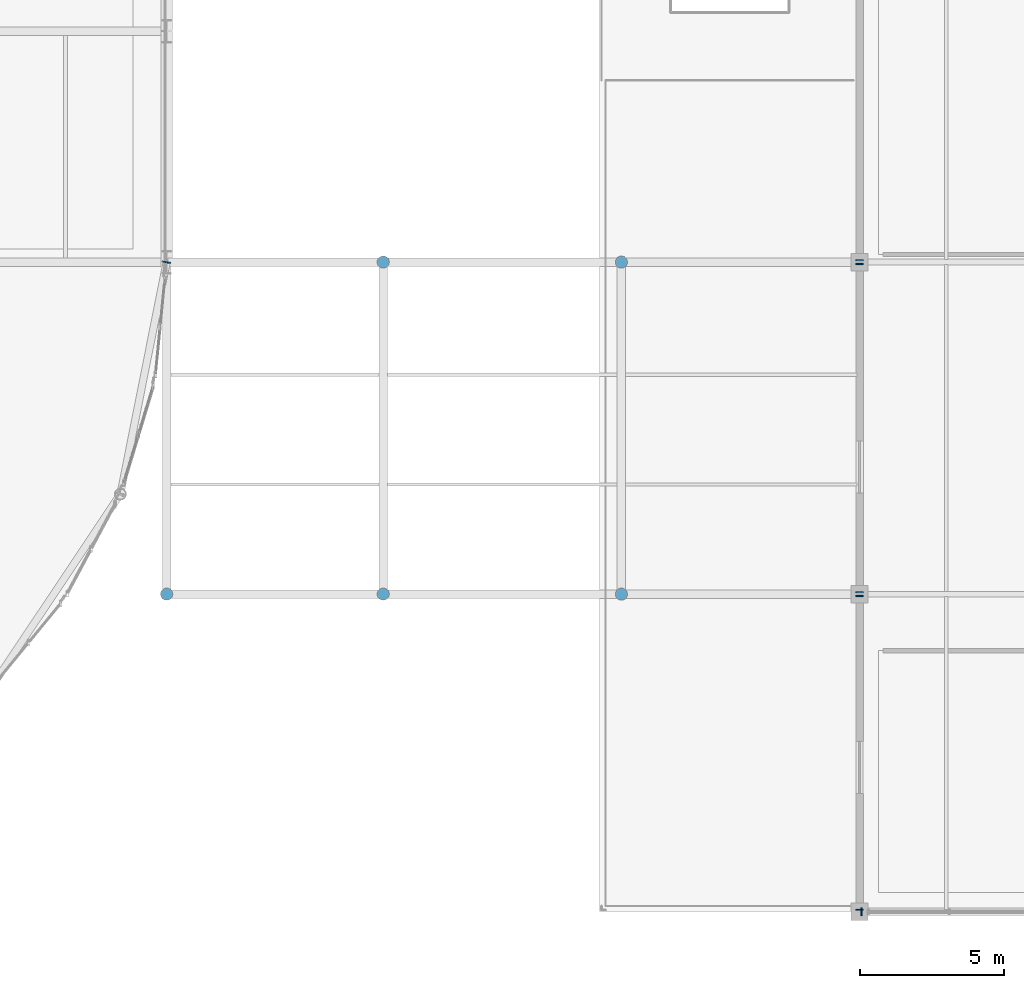
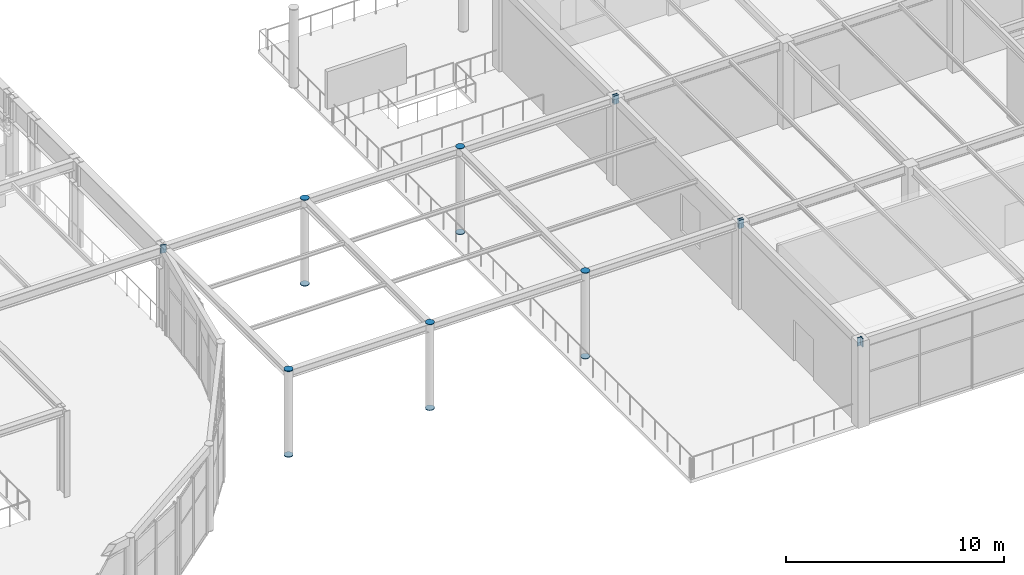
# One storey, part 105 of 143: 17 discrete accessories.
"""IFC4 building model written with IfcOpenShell, lengths in metres."""

from ifc_helpers import new_model, si_unit, direction, frame, origin, origin_2d, place, context, subcontext, project, spatial, rectangle, circle, extrude, material, element, save


model = new_model("IFC4")

# Units and contexts
model_context = context("Model", 3, precision=1e-05, world=origin(), true_north=direction((0.0, 1.0)))
body_context = subcontext(model_context, "Body", "Model", "MODEL_VIEW")
ifc_project = project(units=[si_unit("LENGTHUNIT", "METRE"), si_unit("AREAUNIT", "SQUARE_METRE"), si_unit("VOLUMEUNIT", "CUBIC_METRE"), si_unit("PLANEANGLEUNIT", "RADIAN"), si_unit("MASSUNIT", "GRAM", prefix="KILO")], contexts=[model_context])

# Site, building, storey
site_placement = place(None, origin())
site = spatial("IfcSite", under=ifc_project, at=site_placement, CompositionType="ELEMENT")
building_placement = place(site_placement, origin())
building = spatial("IfcBuilding", under=site, at=building_placement, Name="Marlcrest Central Station", CompositionType="ELEMENT")
storey_placement = place(building_placement, frame((0.0, 0.0, 4.800048828125)))
storey = spatial("IfcBuildingStorey", under=building, at=storey_placement, Name="L01", CompositionType="ELEMENT", Elevation=4.800048828125)

# Discrete accessories
ifc_material = material(Name="Steel S355", Category="steel")
for number, where, z_axis, x_axis, name in (
    (1, (153.045166015625, 0.0, 4.58984375), (1.0, 0.0, 0.0), (0.0, 1.0, 0.0), "endcap-bm-SP-02-L01-00859-s"),
    (2, (153.0, 0.045166015625, 4.58984375), (0.0, 1.0, 0.0), (-1.0, 0.0, 0.0), "endcap-bm-SP-02-L01-00887-s"),
    (3, (153.0, 10.9150390625, 4.58984375), (0.0, 1.0, 0.0), (-1.0, 0.0, 0.0), "endcap-bm-SP-02-L01-00887-e"),
    (4, (153.0, 11.045166015625, 4.58984375), (0.0, 1.0, 0.0), (-1.0, 0.0, 0.0), "endcap-bm-SP-02-L01-00888-s"),
    (5, (153.0, 22.4150390625, 4.58984375), (0.0, 1.0, 0.0), (-1.0, 0.0, 0.0), "endcap-bm-SP-02-L01-00888-e"),
    (6, (153.0, 22.545166015625, 4.58984375), (0.0, 1.0, 0.0), (-1.0, 0.0, 0.0), "endcap-bm-SP-02-L01-00889-s"),
    (7, (128.9951171875, 22.4755859375, 4.58984375), (0.19517056122, 0.980769316421, 0.0), (-0.980769316421, 0.19517056122, 0.0), "endcap-bm-SP-02-L01-01364-e"),
):
    element("IfcDiscreteAccessory", number, at=place(storey_placement, frame(where, z_axis=z_axis, x_axis=x_axis)), inside=storey, material=ifc_material, Name=name, ObjectType="END_CAP_PLATE", PredefinedType="BRACKET", context=body_context, shape_type="SweptSolid", body=[
        extrude(rectangle(XDim=0.26611328125, YDim=0.466064453125, at=origin_2d()), origin(), (0.0, 0.0, 1.0), 0.0400390625),
    ])
for number, where, z_axis, x_axis, name in (
    (8, (129.0, 11.0, -0.014892578125), (0.0, 0.0, 1.0), (1.0, 0.0, 0.0), "endcap-col-SC-10-L01-0900-s"),
    (9, (129.0, 11.0, 4.7900390625), (0.0, 0.0, 1.0), (1.0, 0.0, 0.0), "endcap-col-SC-10-L01-0900-e"),
    (10, (136.5, 11.0, -0.014892578125), (0.0, 0.0, 1.0), (1.0, 0.0, 0.0), "endcap-col-SC-10-L01-0902-s"),
    (11, (136.5, 11.0, 4.7900390625), (0.0, 0.0, 1.0), (1.0, 0.0, 0.0), "endcap-col-SC-10-L01-0902-e"),
    (12, (136.5, 22.5, -0.014892578125), (0.0, 0.0, 1.0), (1.0, 0.0, 0.0), "endcap-col-SC-10-L01-0904-s"),
    (13, (136.5, 22.5, 4.7900390625), (0.0, 0.0, 1.0), (1.0, 0.0, 0.0), "endcap-col-SC-10-L01-0904-e"),
    (14, (144.75, 11.0, -0.014892578125), (0.0, 0.0, 1.0), (1.0, 0.0, 0.0), "endcap-col-SC-10-L01-0906-s"),
    (15, (144.75, 11.0, 4.7900390625), (0.0, 0.0, 1.0), (1.0, 0.0, 0.0), "endcap-col-SC-10-L01-0906-e"),
    (16, (144.75, 22.5, -0.014892578125), (0.0, 0.0, 1.0), (1.0, 0.0, 0.0), "endcap-col-SC-10-L01-0908-s"),
    (17, (144.75, 22.5, 4.7900390625), (0.0, 0.0, 1.0), (1.0, 0.0, 0.0), "endcap-col-SC-10-L01-0908-e"),
):
    element("IfcDiscreteAccessory", number, at=place(storey_placement, frame(where, z_axis=z_axis, x_axis=x_axis)), inside=storey, material=ifc_material, Name=name, ObjectType="END_CAP_PLATE", PredefinedType="BRACKET", context=body_context, shape_type="SweptSolid", body=[
        extrude(circle(Radius=0.211181640625, at=origin_2d()), origin(), (0.0, 0.0, 1.0), 0.0400390625),
    ])

save(model, "model.ifc")
